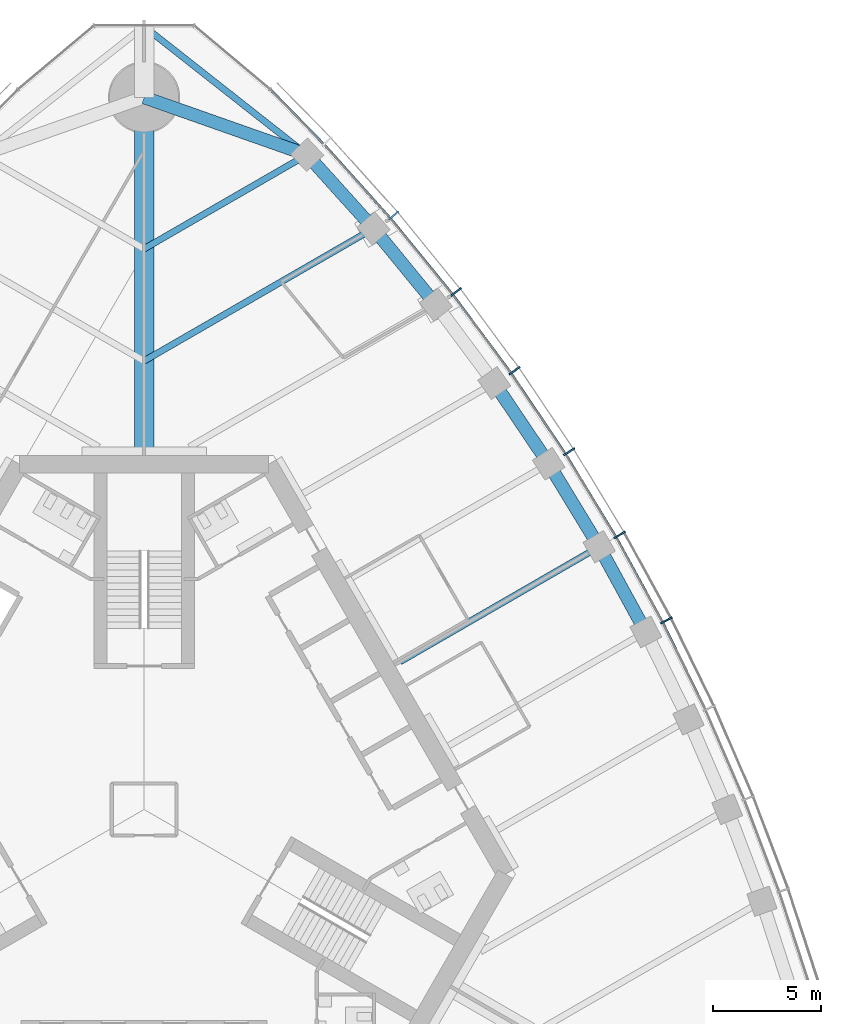
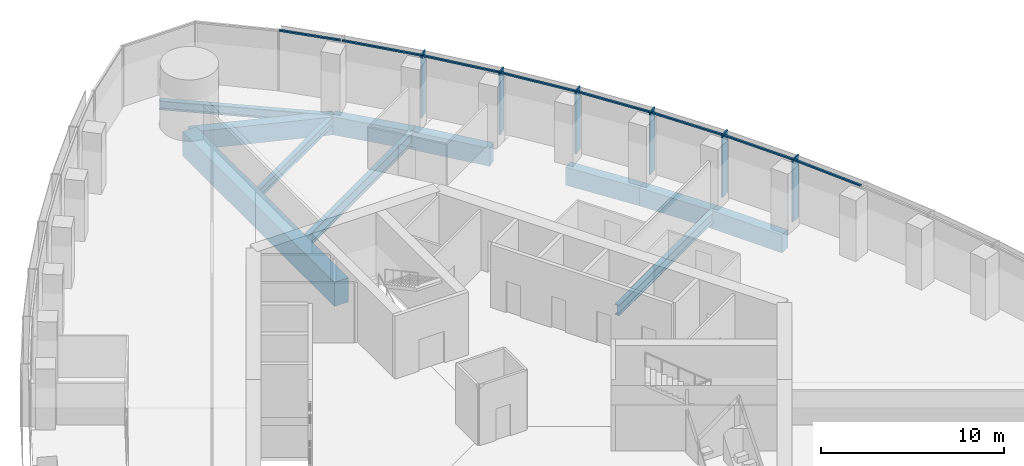
# One storey, part 7 of 19: 14 members, 11 beams, 1 element without a shape of its own.
"""IFC4 building model written with IfcOpenShell, lengths in metres."""

from ifc_helpers import new_model, si_unit, direction, frame, origin, origin_2d, place, context, subcontext, project, spatial, rectangle, i_section, extrude, material, material_profile, profile_set, type_object, element, aggregate, save


model = new_model("IFC4")

# Units and contexts
model_context = context("Model", 3, precision=1e-05, world=origin(), true_north=direction((0.0, 1.0)))
body_context = subcontext(model_context, "Body", "Model", "MODEL_VIEW")
ifc_project = project(units=[si_unit("LENGTHUNIT", "METRE"), si_unit("AREAUNIT", "SQUARE_METRE"), si_unit("VOLUMEUNIT", "CUBIC_METRE"), si_unit("PLANEANGLEUNIT", "RADIAN"), si_unit("MASSUNIT", "GRAM", prefix="KILO")], contexts=[model_context])

# Site, building, storey
site_placement = place(None, origin())
site = spatial("IfcSite", under=ifc_project, at=site_placement, CompositionType="ELEMENT")
building_placement = place(site_placement, origin())
building = spatial("IfcBuilding", under=site, at=building_placement, Name="Trefoil Bronze Tower", CompositionType="ELEMENT")
storey_placement = place(building_placement, frame((0.0, 0.0, 206.5)))
storey = spatial("IfcBuildingStorey", under=building, at=storey_placement, Name="L47", CompositionType="ELEMENT", Elevation=206.5)

# Curtain wall, members
ifc_material_1 = material(Name="Tinted solar-control glass", Category="glass")
curtain_wall_type = type_object("IfcCurtainWallType", Name="Bronze office curtain wall", PredefinedType="USERDEFINED", material=ifc_material_1)
curtain_wall_placement = place(storey_placement, origin())
curtain_wall = element("IfcCurtainWall", 1, at=curtain_wall_placement, inside=storey, type_object=curtain_wall_type, Name="CW-A L47 F2", ObjectType="CURTAIN WALL", PredefinedType="USERDEFINED")
ifc_material_2 = material(Name="Bronze-finish aluminium", Category="aluminium")
ifc_material_profile_1 = material_profile(ifc_material_2, rectangle(XDim=0.60009765625, YDim=0.080078125, at=origin_2d()), Name="CW-A mullion")
ifc_profile_set_1 = profile_set([ifc_material_profile_1], Name="Bronze-finish aluminium")
member_type_1 = type_object("IfcMemberType", Name="Bronze office curtain wall mullion", PredefinedType="MULLION", material=ifc_profile_set_1)
member_1_placement = place(storey_placement, frame((24.2080078125, 8.764404296875, 0.0), z_axis=(0.0, 0.0, 1.0), x_axis=(-0.888088206965, -0.459673075837, 0.0)))
member_1 = element("IfcMember", 2, at=member_1_placement, type_object=member_type_1, Name="CW-A L47 F2 mullion 6", PredefinedType="MULLION", context=body_context, shape_type="SweptSolid", body=[
    extrude(rectangle(XDim=0.60009765625, YDim=0.080078125, at=origin_2d()), origin(), (0.0, 0.0, 1.0), 4.179931640625),
])
member_2_placement = place(storey_placement, frame((22.041015625, 12.725341796875, 0.0), z_axis=(0.0, 0.0, 1.0), x_axis=(-0.866025403784, -0.5, 0.0)))
member_2 = element("IfcMember", 3, at=member_2_placement, type_object=member_type_1, Name="CW-A L47 F2 mullion 7", PredefinedType="MULLION", context=body_context, shape_type="SweptSolid", body=[
    extrude(rectangle(XDim=0.60009765625, YDim=0.080078125, at=origin_2d()), origin(), (0.0, 0.0, 1.0), 4.179931640625),
])
member_3_placement = place(storey_placement, frame((19.694091796875, 16.58251953125, 0.0), z_axis=(0.0, 0.0, 1.0), x_axis=(-0.842132664593, -0.539270410114, 0.0)))
member_3 = element("IfcMember", 4, at=member_3_placement, type_object=member_type_1, Name="CW-A L47 F2 mullion 8", PredefinedType="MULLION", context=body_context, shape_type="SweptSolid", body=[
    extrude(rectangle(XDim=0.60009765625, YDim=0.080078125, at=origin_2d()), origin(), (0.0, 0.0, 1.0), 4.179931640625),
])
member_4_placement = place(storey_placement, frame((17.167236328125, 20.335693359375, 0.0), z_axis=(0.0, 0.0, 1.0), x_axis=(-0.81640398396, -0.577481198806, 0.0)))
member_4 = element("IfcMember", 5, at=member_4_placement, type_object=member_type_1, Name="CW-A L47 F2 mullion 9", PredefinedType="MULLION", context=body_context, shape_type="SweptSolid", body=[
    extrude(rectangle(XDim=0.60009765625, YDim=0.080078125, at=origin_2d()), origin(), (0.0, 0.0, 1.0), 4.179931640625),
])
member_5_placement = place(storey_placement, frame((14.45849609375, 23.98388671875, 0.0), z_axis=(0.0, 0.0, 1.0), x_axis=(-0.788821461078, -0.614622406476, 0.0)))
member_5 = element("IfcMember", 6, at=member_5_placement, type_object=member_type_1, Name="CW-A L47 F2 mullion 10", PredefinedType="MULLION", context=body_context, shape_type="SweptSolid", body=[
    extrude(rectangle(XDim=0.60009765625, YDim=0.080078125, at=origin_2d()), origin(), (0.0, 0.0, 1.0), 4.179931640625),
])
member_6_placement = place(storey_placement, frame((11.564697265625, 27.525146484375, 0.0), z_axis=(0.0, 0.0, 1.0), x_axis=(-0.75935470958, -0.650676897576, 0.0)))
member_6 = element("IfcMember", 7, at=member_6_placement, type_object=member_type_1, Name="CW-A L47 F2 mullion 11", PredefinedType="MULLION", context=body_context, shape_type="SweptSolid", body=[
    extrude(rectangle(XDim=0.60009765625, YDim=0.080078125, at=origin_2d()), origin(), (0.0, 0.0, 1.0), 4.179931640625),
])
ifc_material_3 = material(Name="Bronze-finish aluminium", Category="aluminium")
ifc_material_profile_2 = material_profile(ifc_material_3, rectangle(XDim=0.1201171875, YDim=0.10009765625, at=origin_2d()), Name="CW-A transom")
ifc_profile_set_2 = profile_set([ifc_material_profile_2], Name="Bronze-finish aluminium")
member_type_2 = type_object("IfcMemberType", Name="Bronze office curtain wall transom", PredefinedType="USERDEFINED", material=ifc_profile_set_2)
member_7_placement = place(storey_placement, frame((25.99462890625, 4.65380859375, 4.1298828125), z_axis=(-0.439150835991, 0.898413347657, 0.0), x_axis=(-0.898413347657, -0.439150835991, 0.0)))
member_7 = element("IfcMember", 8, at=member_7_placement, type_object=member_type_2, Name="CW-A L47 F2 transom 5", ObjectType="TRANSOM", PredefinedType="USERDEFINED", context=body_context, shape_type="SweptSolid", body=[
    extrude(rectangle(XDim=0.1201171875, YDim=0.10009765625, at=origin_2d()), origin(), (0.0, 0.0, 1.0), 4.430908203125),
])
member_8_placement = place(storey_placement, frame((24.010009765625, 8.70947265625, 4.1298828125), z_axis=(-0.479973729071, 0.877282861683, 0.0), x_axis=(-0.877282861683, -0.479973729071, 0.0)))
member_8 = element("IfcMember", 9, at=member_8_placement, type_object=member_type_2, Name="CW-A L47 F2 transom 6", ObjectType="TRANSOM", PredefinedType="USERDEFINED", context=body_context, shape_type="SweptSolid", body=[
    extrude(rectangle(XDim=0.1201171875, YDim=0.10009765625, at=origin_2d()), origin(), (0.0, 0.0, 1.0), 4.421142578125),
])
member_9_placement = place(storey_placement, frame((21.845703125, 12.661376953125, 4.1298828125), z_axis=(-0.519740214649, 0.854324358354, 0.0), x_axis=(-0.854324358354, -0.519740214649, 0.0)))
member_9 = element("IfcMember", 10, at=member_9_placement, type_object=member_type_2, Name="CW-A L47 F2 transom 7", ObjectType="TRANSOM", PredefinedType="USERDEFINED", context=body_context, shape_type="SweptSolid", body=[
    extrude(rectangle(XDim=0.1201171875, YDim=0.10009765625, at=origin_2d()), origin(), (0.0, 0.0, 1.0), 4.421142578125),
])
member_10_placement = place(storey_placement, frame((19.502197265625, 16.509765625, 4.1298828125), z_axis=(-0.558509087547, 0.829498402125, 0.0), x_axis=(-0.829498402125, -0.558509087547, 0.0)))
member_10 = element("IfcMember", 11, at=member_10_placement, type_object=member_type_2, Name="CW-A L47 F2 transom 8", ObjectType="TRANSOM", PredefinedType="USERDEFINED", context=body_context, shape_type="SweptSolid", body=[
    extrude(rectangle(XDim=0.1201171875, YDim=0.10009765625, at=origin_2d()), origin(), (0.0, 0.0, 1.0), 4.4306640625),
])
member_11_placement = place(storey_placement, frame((16.978759765625, 20.254150390625, 4.1298828125), z_axis=(-0.59614822717, 0.802874393191, 0.0), x_axis=(-0.802874393191, -0.59614822717, 0.0)))
member_11 = element("IfcMember", 12, at=member_11_placement, type_object=member_type_2, Name="CW-A L47 F2 transom 9", ObjectType="TRANSOM", PredefinedType="USERDEFINED", context=body_context, shape_type="SweptSolid", body=[
    extrude(rectangle(XDim=0.1201171875, YDim=0.10009765625, at=origin_2d()), origin(), (0.0, 0.0, 1.0), 4.449951171875),
])
member_12_placement = place(storey_placement, frame((14.27392578125, 23.8935546875, 4.1298828125), z_axis=(-0.632756871921, 0.774350528531, 0.0), x_axis=(-0.774350528531, -0.632756871921, 0.0)))
member_12 = element("IfcMember", 13, at=member_12_placement, type_object=member_type_2, Name="CW-A L47 F2 transom 10", ObjectType="TRANSOM", PredefinedType="USERDEFINED", context=body_context, shape_type="SweptSolid", body=[
    extrude(rectangle(XDim=0.1201171875, YDim=0.10009765625, at=origin_2d()), origin(), (0.0, 0.0, 1.0), 4.4794921875),
])
member_13_placement = place(storey_placement, frame((11.384521484375, 27.426513671875, 4.1298828125), z_axis=(-0.66825109551, 0.743935799213, 0.0), x_axis=(-0.743935799213, -0.66825109551, 0.0)))
member_13 = element("IfcMember", 14, at=member_13_placement, type_object=member_type_2, Name="CW-A L47 F2 transom 11", ObjectType="TRANSOM", PredefinedType="USERDEFINED", context=body_context, shape_type="SweptSolid", body=[
    extrude(rectangle(XDim=0.1201171875, YDim=0.10009765625, at=origin_2d()), origin(), (0.0, 0.0, 1.0), 4.519287109375),
])
member_14_placement = place(storey_placement, frame((8.306884765625, 30.85009765625, 4.1298828125), z_axis=(-0.698646935368, 0.715466602785, 0.0), x_axis=(-0.715466602785, -0.698646935368, 0.0)))
member_14 = element("IfcMember", 15, at=member_14_placement, type_object=member_type_2, Name="CW-A L47 F2 transom 12", ObjectType="TRANSOM", PredefinedType="USERDEFINED", context=body_context, shape_type="SweptSolid", body=[
    extrude(rectangle(XDim=0.1201171875, YDim=0.10009765625, at=origin_2d()), origin(), (0.0, 0.0, 1.0), 3.483642578125),
])
aggregate(curtain_wall, [member_1, member_2, member_3, member_4, member_5, member_6, member_7, member_8, member_9, member_10, member_11, member_12, member_13, member_14])

# Beams
ifc_material_4 = material(Name="Steel C355", Category="steel")
ifc_material_profile_3 = material_profile(ifc_material_4, i_section(OverallWidth=0.300048828125, OverallDepth=0.60009765625, WebThickness=0.015380859375, FlangeThickness=0.030029296875, FilletRadius=0.027099609375, at=origin_2d()), Name="HEB 600")
ifc_profile_set_3 = profile_set([ifc_material_profile_3], Name="Steel C355")
beam_type_1 = type_object("IfcBeamType", Name="Corner edge beam HEB 600", PredefinedType="BEAM", material=ifc_profile_set_3)
beam_1_placement = place(storey_placement, frame((7.552001953125, 30.3408203125, -0.5), z_axis=(-0.785805912008, 0.618473175371, 0.0), x_axis=(-0.618473175371, -0.785805912008, 0.0)))
element("IfcBeam", 16, at=beam_1_placement, inside=storey, type_object=beam_type_1, Name="Corner edge beam F2A L47", PredefinedType="BEAM", context=body_context, shape_type="SweptSolid", body=[
    extrude(i_section(OverallWidth=0.300048828125, OverallDepth=0.60009765625, WebThickness=0.015380859375, FlangeThickness=0.030029296875, FilletRadius=0.027099609375, at=origin_2d()), origin(), (0.0, 0.0, 1.0), 9.610595703125),
])
ifc_material_5 = material(Name="Concrete B80", Category="concrete")
ifc_material_profile_4 = material_profile(ifc_material_5, rectangle(XDim=0.89990234375, YDim=1.60009765625, at=origin_2d()), Name="RC 900x1600")
ifc_profile_set_4 = profile_set([ifc_material_profile_4], Name="Concrete B80")
beam_type_2 = type_object("IfcBeamType", Name="Corner girder RC 900x1600", PredefinedType="BEAM", material=ifc_profile_set_4)
beam_2_placement = place(storey_placement, frame((0.0, 16.39990234375, -1.0), z_axis=(0.0, 1.0, 0.0), x_axis=(-1.0, 0.0, 0.0)))
element("IfcBeam", 17, at=beam_2_placement, inside=storey, type_object=beam_type_2, Name="Corner girder K2 L47", PredefinedType="BEAM", context=body_context, shape_type="SweptSolid", body=[
    extrude(rectangle(XDim=0.89990234375, YDim=1.60009765625, at=origin_2d()), origin(), (0.0, 0.0, 1.0), 16.60009765625),
])
ifc_material_6 = material(Name="Concrete B80", Category="concrete")
ifc_material_profile_5 = material_profile(ifc_material_6, rectangle(XDim=0.60009765625, YDim=1.199951171875, at=origin_2d()), Name="RC 600x1200")
ifc_profile_set_5 = profile_set([ifc_material_profile_5], Name="Concrete B80")
beam_type_3 = type_object("IfcBeamType", Name="End spandrel beam RC 600x1200", PredefinedType="SPANDREL", material=ifc_profile_set_5)
beam_3_placement = place(storey_placement, frame((7.552001953125, 30.3408203125, -0.800048828125), z_axis=(-0.943234397359, 0.332127794137, 0.0), x_axis=(-0.332127794137, -0.943234397359, 0.0)))
element("IfcBeam", 18, at=beam_3_placement, inside=storey, type_object=beam_type_3, Name="Spandrel F2.12 L47", PredefinedType="SPANDREL", context=body_context, shape_type="SweptSolid", body=[
    extrude(rectangle(XDim=0.60009765625, YDim=1.199951171875, at=origin_2d()), origin(), (0.0, 0.0, 1.0), 8.006591796875),
])
ifc_material_7 = material(Name="Steel C355", Category="steel")
ifc_material_profile_6 = material_profile(ifc_material_7, i_section(OverallWidth=0.300048828125, OverallDepth=0.590087890625, WebThickness=0.012939453125, FlangeThickness=0.02490234375, FilletRadius=0.027099609375, at=origin_2d()), Name="HEA 600")
ifc_profile_set_6 = profile_set([ifc_material_profile_6], Name="Steel C355")
beam_type_4 = type_object("IfcBeamType", Name="Floor beam HEA 600", PredefinedType="BEAM", material=ifc_profile_set_6)
beam_4_placement = place(storey_placement, frame((7.552001953125, 30.3408203125, -0.4951171875), z_axis=(-0.866027535932, -0.499996306993, 0.0), x_axis=(0.499996306993, -0.866027535932, 0.0)))
element("IfcBeam", 19, at=beam_4_placement, inside=storey, type_object=beam_type_4, Name="Floor beam F2/+5 L47", PredefinedType="BEAM", context=body_context, shape_type="SweptSolid", body=[
    extrude(i_section(OverallWidth=0.300048828125, OverallDepth=0.590087890625, WebThickness=0.012939453125, FlangeThickness=0.02490234375, FilletRadius=0.027099609375, at=origin_2d()), origin(), (0.0, 0.0, 1.0), 8.72021484375),
])
ifc_material_8 = material(Name="Steel C355", Category="steel")
ifc_material_profile_7 = material_profile(ifc_material_8, i_section(OverallWidth=0.300048828125, OverallDepth=0.699951171875, WebThickness=0.01708984375, FlangeThickness=0.031982421875, FilletRadius=0.027099609375, at=origin_2d()), Name="HEB 700")
ifc_profile_set_7 = profile_set([ifc_material_profile_7], Name="Steel C355")
beam_type_5 = type_object("IfcBeamType", Name="Floor beam HEB 700", PredefinedType="BEAM", material=ifc_profile_set_7)
beam_5_placement = place(storey_placement, frame((21.08837890625, 12.17529296875, -0.550048828125), z_axis=(-0.866034044198, -0.499985034066, 0.0), x_axis=(0.499985034066, -0.866034044198, 0.0)))
element("IfcBeam", 20, at=beam_5_placement, inside=storey, type_object=beam_type_5, Name="Floor beam F2/+0 L47", PredefinedType="BEAM", context=body_context, shape_type="SweptSolid", body=[
    extrude(i_section(OverallWidth=0.300048828125, OverallDepth=0.699951171875, WebThickness=0.01708984375, FlangeThickness=0.031982421875, FilletRadius=0.027099609375, at=origin_2d()), origin(), (0.0, 0.0, 1.0), 10.650634765625),
])
ifc_material_9 = material(Name="Steel C355", Category="steel")
ifc_material_profile_8 = material_profile(ifc_material_9, i_section(OverallWidth=0.300048828125, OverallDepth=0.800048828125, WebThickness=0.017578125, FlangeThickness=0.032958984375, FilletRadius=0.030029296875, at=origin_2d()), Name="HEB 800")
ifc_profile_set_8 = profile_set([ifc_material_profile_8], Name="Steel C355")
beam_type_6 = type_object("IfcBeamType", Name="Floor beam HEB 800", PredefinedType="BEAM", material=ifc_profile_set_8)
beam_6_placement = place(storey_placement, frame((10.632080078125, 26.923095703125, -0.60009765625), z_axis=(-0.866025635187, -0.499999599199, 0.0), x_axis=(0.499999599199, -0.866025635187, 0.0)))
element("IfcBeam", 21, at=beam_6_placement, inside=storey, type_object=beam_type_6, Name="Floor beam F2/+4 L47", PredefinedType="BEAM", context=body_context, shape_type="SweptSolid", body=[
    extrude(i_section(OverallWidth=0.300048828125, OverallDepth=0.800048828125, WebThickness=0.017578125, FlangeThickness=0.032958984375, FilletRadius=0.030029296875, at=origin_2d()), origin(), (0.0, 0.0, 1.0), 12.27685546875),
])
ifc_material_10 = material(Name="Concrete B80", Category="concrete")
ifc_material_profile_9 = material_profile(ifc_material_10, rectangle(XDim=0.60009765625, YDim=1.199951171875, at=origin_2d()), Name="RC 600x1200")
ifc_profile_set_9 = profile_set([ifc_material_profile_9], Name="Concrete B80")
beam_type_7 = type_object("IfcBeamType", Name="Spandrel beam RC 600x1200", PredefinedType="SPANDREL", material=ifc_profile_set_9)
for number, where, z_axis, x_axis, name in (
    (22, (23.248046875, 8.22607421875, -0.800048828125), (-0.479801903802, 0.87737684783, 0.0), (-0.87737684783, -0.479801903802, 0.0), "Spandrel F2.6 L47"),
    (23, (21.08837890625, 12.17529296875, -0.800048828125), (-0.519933181394, 0.854206934464, 0.0), (-0.854206934464, -0.519933181394, 0.0), "Spandrel F2.7 L47"),
):
    element("IfcBeam", number, at=place(storey_placement, frame(where, z_axis=z_axis, x_axis=x_axis)), inside=storey, type_object=beam_type_7, Name=name, PredefinedType="SPANDREL", context=body_context, shape_type="SweptSolid", body=[
        extrude(rectangle(XDim=0.60009765625, YDim=1.199951171875, at=origin_2d()), origin(), (0.0, 0.0, 1.0), 4.501220703125),
    ])
beam_7_placement = place(storey_placement, frame((18.748046875, 16.020263671875, -0.800048828125), z_axis=(-0.558964302753, 0.829191719838, 0.0), x_axis=(-0.829191719838, -0.558964302753, 0.0)))
element("IfcBeam", 24, at=beam_7_placement, inside=storey, type_object=beam_type_7, Name="Spandrel F2.8 L47", PredefinedType="SPANDREL", context=body_context, shape_type="SweptSolid", body=[
    extrude(rectangle(XDim=0.60009765625, YDim=1.199951171875, at=origin_2d()), origin(), (0.0, 0.0, 1.0), 4.510986328125),
])
beam_8_placement = place(storey_placement, frame((13.522216796875, 23.3955078125, -0.800048828125), z_axis=(-0.633753657863, 0.773534938542, 0.0), x_axis=(-0.773534938542, -0.633753657863, 0.0)))
element("IfcBeam", 25, at=beam_8_placement, inside=storey, type_object=beam_type_7, Name="Spandrel F2.10 L47", PredefinedType="SPANDREL", context=body_context, shape_type="SweptSolid", body=[
    extrude(rectangle(XDim=0.60009765625, YDim=1.199951171875, at=origin_2d()), origin(), (0.0, 0.0, 1.0), 4.560302734375),
])
beam_9_placement = place(storey_placement, frame((10.632080078125, 26.923095703125, -0.800048828125), z_axis=(-0.669460045872, 0.742848064534, 0.0), x_axis=(-0.742848064534, -0.669460045872, 0.0)))
element("IfcBeam", 26, at=beam_9_placement, inside=storey, type_object=beam_type_7, Name="Spandrel F2.11 L47", PredefinedType="SPANDREL", context=body_context, shape_type="SweptSolid", body=[
    extrude(rectangle(XDim=0.60009765625, YDim=1.199951171875, at=origin_2d()), origin(), (0.0, 0.0, 1.0), 4.600830078125),
])

save(model, "model.ifc")
